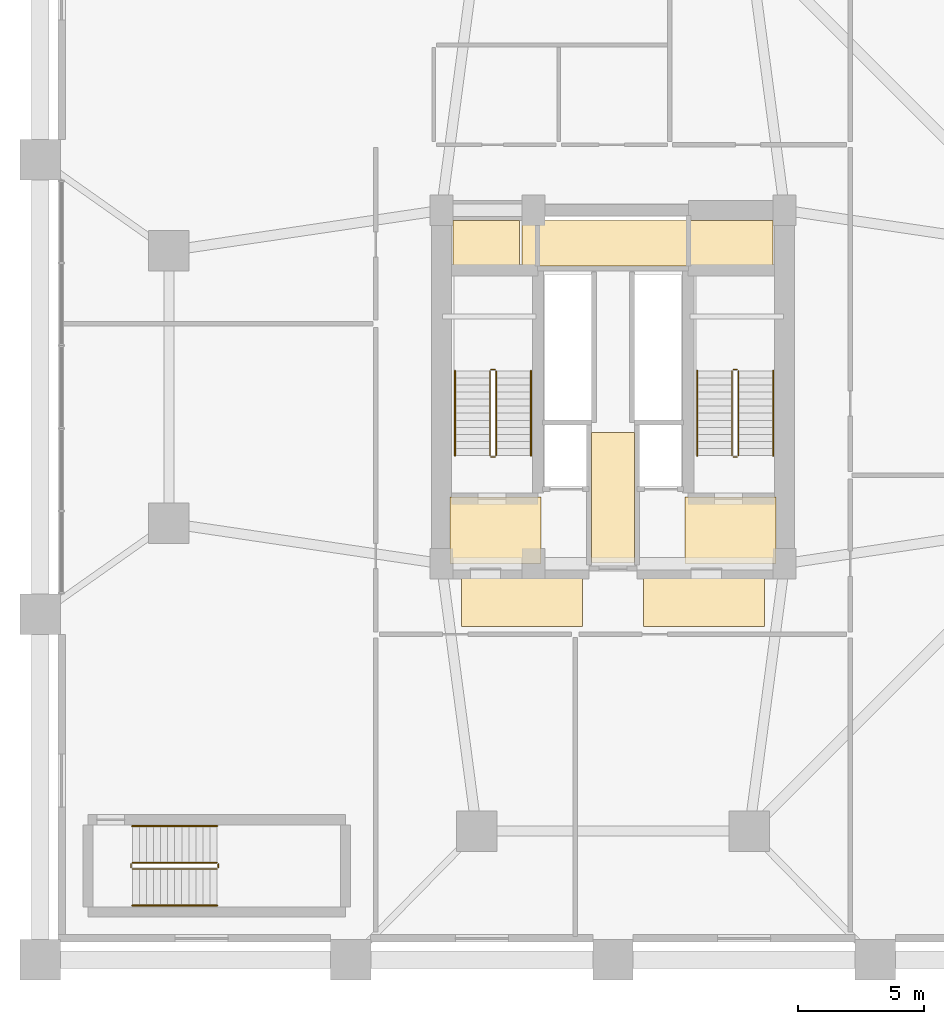
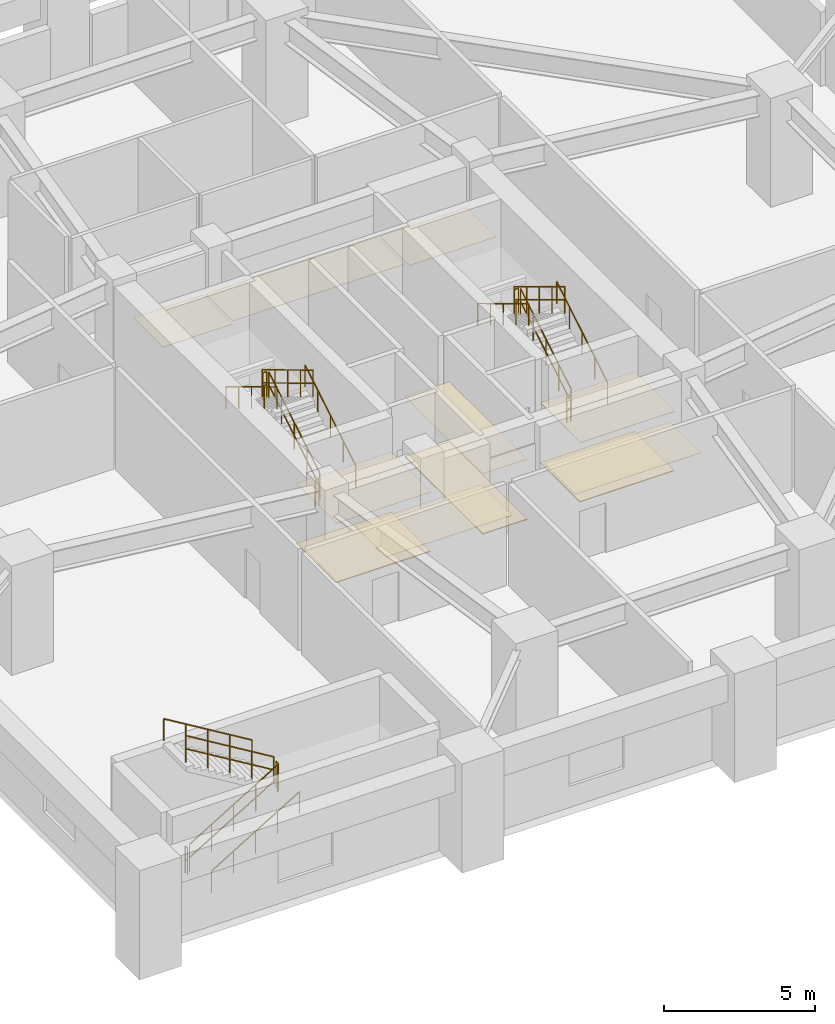
# One storey, part 13 of 16: 18 railings, 11 coverings.
"""IFC4 building model written with IfcOpenShell, lengths in metres."""

from ifc_helpers import new_model, si_unit, direction, frame, origin, origin_2d, place, context, subcontext, project, spatial, polyline, circle, outline, extrude, material, layer, layer_set, type_object, element, save


model = new_model("IFC4")

# Units and contexts
model_context = context("Model", 3, precision=1e-05, world=origin(), true_north=direction((0.0, 1.0)))
body_context = subcontext(model_context, "Body", "Model", "MODEL_VIEW")
ifc_project = project(units=[si_unit("LENGTHUNIT", "METRE"), si_unit("AREAUNIT", "SQUARE_METRE"), si_unit("VOLUMEUNIT", "CUBIC_METRE"), si_unit("PLANEANGLEUNIT", "RADIAN"), si_unit("MASSUNIT", "GRAM", prefix="KILO")], contexts=[model_context])

# Site, building, storey
site_placement = place(None, origin())
site = spatial("IfcSite", under=ifc_project, at=site_placement, CompositionType="ELEMENT")
building_placement = place(site_placement, origin())
building = spatial("IfcBuilding", under=site, at=building_placement, Name="Veraguas Prism Commons", CompositionType="ELEMENT")
storey_placement = place(building_placement, frame((0.0, 0.0, 14.0)))
storey = spatial("IfcBuildingStorey", under=building, at=storey_placement, Name="L03", CompositionType="ELEMENT", Elevation=14.0)

# Coverings
ifc_material_1 = material(Name="Acoustic gypsum board")
ifc_layer_1 = layer(ifc_material_1, 0.02490234375, Name="Perforated Acoustic Ceiling Tile 25")
ifc_layer_set_1 = layer_set([ifc_layer_1], Name="Acoustic gypsum board")
covering_type_1 = type_object("IfcCoveringType", Name="Perforated Acoustic Ceiling Tile 25", PredefinedType="USERDEFINED", material=ifc_layer_set_1)
covering_1_placement = place(storey_placement, frame((0.0, 0.0, 2.425048828125)))
element("IfcCovering", 1, at=covering_1_placement, inside=storey, type_object=covering_type_1, Name="East Lobby Acoustic Ceiling L03", ObjectType="ACOUSTIC CEILING", PredefinedType="USERDEFINED", context=body_context, shape_type="SweptSolid", body=[
    extrude(outline(polyline([(26.85009765625, 17.0), (30.449951171875, 17.0), (30.449951171875, 19.64990234375), (26.85009765625, 19.64990234375), (26.85009765625, 17.0)])), origin(), (0.0, 0.0, 1.0), 0.02490234375),
])
ifc_material_2 = material(Name="Terrazzo stone finish", Category="masonry")
ifc_layer_2 = layer(ifc_material_2, 0.030029296875, Name="Polished Terrazzo Floor Finish 30", Category="masonry")
ifc_layer_set_2 = layer_set([ifc_layer_2], Name="Terrazzo stone finish")
covering_type_2 = type_object("IfcCoveringType", Name="Polished Terrazzo Floor Finish 30", PredefinedType="FLOORING", material=ifc_layer_set_2)
covering_2_placement = place(storey_placement, origin())
element("IfcCovering", 2, at=covering_2_placement, inside=storey, type_object=covering_type_2, Name="Terrazzo Lobby Flooring L03", PredefinedType="FLOORING", context=body_context, shape_type="SweptSolid", body=[
    extrude(outline(polyline([(23.14990234375, 17.050048828125), (24.85009765625, 17.050048828125), (24.85009765625, 22.199951171875), (23.14990234375, 22.199951171875), (23.14990234375, 17.050048828125)])), origin(), (0.0, 0.0, 1.0), 0.030029296875),
])
covering_3_placement = place(storey_placement, origin())
element("IfcCovering", 3, at=covering_3_placement, inside=storey, type_object=covering_type_2, Name="West FF Lobby Terrazzo Flooring L03", PredefinedType="FLOORING", context=body_context, shape_type="SweptSolid", body=[
    extrude(outline(polyline([(17.550048828125, 17.050048828125), (21.14990234375, 17.050048828125), (21.14990234375, 19.64990234375), (17.550048828125, 19.64990234375), (17.550048828125, 17.050048828125)])), origin(), (0.0, 0.0, 1.0), 0.030029296875),
])
covering_4_placement = place(storey_placement, origin())
element("IfcCovering", 4, at=covering_4_placement, inside=storey, type_object=covering_type_2, Name="East FF Lobby Terrazzo Flooring L03", PredefinedType="FLOORING", context=body_context, shape_type="SweptSolid", body=[
    extrude(outline(polyline([(26.85009765625, 17.050048828125), (30.449951171875, 17.050048828125), (30.449951171875, 19.64990234375), (26.85009765625, 19.64990234375), (26.85009765625, 17.050048828125)])), origin(), (0.0, 0.0, 1.0), 0.030029296875),
])

# Railings
ifc_material_3 = material(Name="Stainless steel AISI 316", Category="steel")
railing_type_1 = type_object("IfcRailingType", Name="Stair and Ramp Stainless Handrail 900", PredefinedType="HANDRAIL", material=ifc_material_3)
railing_1_placement = place(storey_placement, frame((20.75, 21.280029296875, 0.169189453125)))
element("IfcRailing", 5, at=railing_1_placement, inside=storey, type_object=railing_type_1, Name="Stair Handrail ST-01 L03-1", PredefinedType="HANDRAIL", context=body_context, shape_type="SweptSolid", body=[
    extrude(circle(Radius=0.02392578125, at=origin_2d()), frame((0.0, 0.0, 0.8759765625), z_axis=(0.0, 0.855820338506, 0.51727318527), x_axis=(-1.0, 0.0, 0.0)), (0.0, 0.0, 1.0), 3.92578125),
    extrude(circle(Radius=0.02099609375, at=origin_2d()), origin(), (0.0, 0.0, 1.0), 0.851806640625),
    extrude(circle(Radius=0.02099609375, at=origin_2d()), frame((0.0, 0.83984375, 0.5078125)), (0.0, 0.0, 1.0), 0.851806640625),
    extrude(circle(Radius=0.02099609375, at=origin_2d()), frame((0.0, 1.679931640625, 1.015380859375)), (0.0, 0.0, 1.0), 0.851806640625),
    extrude(circle(Radius=0.02099609375, at=origin_2d()), frame((0.0, 2.52001953125, 1.52294921875)), (0.0, 0.0, 1.0), 0.851806640625),
    extrude(circle(Radius=0.02099609375, at=origin_2d()), frame((0.0, 3.35986328125, 2.03076171875)), (0.0, 0.0, 1.0), 0.851806640625),
])
railing_2_placement = place(storey_placement, frame((17.739990234375, 24.639892578125, 2.369140625)))
element("IfcRailing", 6, at=railing_2_placement, inside=storey, type_object=railing_type_1, Name="Stair Handrail ST-01 L03-2", PredefinedType="HANDRAIL", context=body_context, shape_type="SweptSolid", body=[
    extrude(circle(Radius=0.02392578125, at=origin_2d()), frame((0.0, 0.0, 0.8759765625), z_axis=(0.0, -0.855820338506, 0.51727318527), x_axis=(1.0, 0.0, 0.0)), (0.0, 0.0, 1.0), 3.92578125),
    extrude(circle(Radius=0.02099609375, at=origin_2d()), origin(), (0.0, 0.0, 1.0), 0.851806640625),
    extrude(circle(Radius=0.02099609375, at=origin_2d()), frame((0.0, -0.83984375, 0.5078125)), (0.0, 0.0, 1.0), 0.851806640625),
    extrude(circle(Radius=0.02099609375, at=origin_2d()), frame((0.0, -1.679931640625, 1.015380859375)), (0.0, 0.0, 1.0), 0.851806640625),
    extrude(circle(Radius=0.02099609375, at=origin_2d()), frame((0.0, -2.52001953125, 1.52294921875)), (0.0, 0.0, 1.0), 0.851806640625),
    extrude(circle(Radius=0.02099609375, at=origin_2d()), frame((0.0, -3.35986328125, 2.03076171875)), (0.0, 0.0, 1.0), 0.851806640625),
])
railing_3_placement = place(storey_placement, frame((30.35009765625, 21.280029296875, 0.169189453125)))
element("IfcRailing", 7, at=railing_3_placement, inside=storey, type_object=railing_type_1, Name="Stair Handrail ST-02 L03-1", PredefinedType="HANDRAIL", context=body_context, shape_type="SweptSolid", body=[
    extrude(circle(Radius=0.02392578125, at=origin_2d()), frame((0.0, 0.0, 0.8759765625), z_axis=(0.0, 0.855820338506, 0.51727318527), x_axis=(-1.0, 0.0, 0.0)), (0.0, 0.0, 1.0), 3.92578125),
    extrude(circle(Radius=0.02099609375, at=origin_2d()), origin(), (0.0, 0.0, 1.0), 0.851806640625),
    extrude(circle(Radius=0.02099609375, at=origin_2d()), frame((0.0, 0.83984375, 0.5078125)), (0.0, 0.0, 1.0), 0.851806640625),
    extrude(circle(Radius=0.02099609375, at=origin_2d()), frame((0.0, 1.679931640625, 1.015380859375)), (0.0, 0.0, 1.0), 0.851806640625),
    extrude(circle(Radius=0.02099609375, at=origin_2d()), frame((0.0, 2.52001953125, 1.52294921875)), (0.0, 0.0, 1.0), 0.851806640625),
    extrude(circle(Radius=0.02099609375, at=origin_2d()), frame((0.0, 3.35986328125, 2.03076171875)), (0.0, 0.0, 1.0), 0.851806640625),
])
railing_4_placement = place(storey_placement, frame((27.340087890625, 24.639892578125, 2.369140625)))
element("IfcRailing", 8, at=railing_4_placement, inside=storey, type_object=railing_type_1, Name="Stair Handrail ST-02 L03-2", PredefinedType="HANDRAIL", context=body_context, shape_type="SweptSolid", body=[
    extrude(circle(Radius=0.02392578125, at=origin_2d()), frame((0.0, 0.0, 0.8759765625), z_axis=(0.0, -0.855820338506, 0.51727318527), x_axis=(1.0, 0.0, 0.0)), (0.0, 0.0, 1.0), 3.92578125),
    extrude(circle(Radius=0.02099609375, at=origin_2d()), origin(), (0.0, 0.0, 1.0), 0.851806640625),
    extrude(circle(Radius=0.02099609375, at=origin_2d()), frame((0.0, -0.83984375, 0.5078125)), (0.0, 0.0, 1.0), 0.851806640625),
    extrude(circle(Radius=0.02099609375, at=origin_2d()), frame((0.0, -1.679931640625, 1.015380859375)), (0.0, 0.0, 1.0), 0.851806640625),
    extrude(circle(Radius=0.02099609375, at=origin_2d()), frame((0.0, -2.52001953125, 1.52294921875)), (0.0, 0.0, 1.0), 0.851806640625),
    extrude(circle(Radius=0.02099609375, at=origin_2d()), frame((0.0, -3.35986328125, 2.03076171875)), (0.0, 0.0, 1.0), 0.851806640625),
])
railing_5_placement = place(storey_placement, frame((4.949951171875, 3.449951171875, 0.169189453125)))
element("IfcRailing", 9, at=railing_5_placement, inside=storey, type_object=railing_type_1, Name="Stair Handrail ST-M1 L03-1", PredefinedType="HANDRAIL", context=body_context, shape_type="SweptSolid", body=[
    extrude(circle(Radius=0.02392578125, at=origin_2d()), frame((0.0, 0.0, 0.8759765625), z_axis=(0.855836976705, 0.0, 0.517245656632), x_axis=(0.0, 1.0, 0.0)), (0.0, 0.0, 1.0), 3.926025390625),
    extrude(circle(Radius=0.02099609375, at=origin_2d()), origin(), (0.0, 0.0, 1.0), 0.851806640625),
    extrude(circle(Radius=0.02099609375, at=origin_2d()), frame((0.840087890625, 0.0, 0.5078125)), (0.0, 0.0, 1.0), 0.851806640625),
    extrude(circle(Radius=0.02099609375, at=origin_2d()), frame((1.68017578125, 0.0, 1.015380859375)), (0.0, 0.0, 1.0), 0.851806640625),
    extrude(circle(Radius=0.02099609375, at=origin_2d()), frame((2.52001953125, 0.0, 1.52294921875)), (0.0, 0.0, 1.0), 0.851806640625),
    extrude(circle(Radius=0.02099609375, at=origin_2d()), frame((3.360107421875, 0.0, 2.03076171875)), (0.0, 0.0, 1.0), 0.851806640625),
])
railing_6_placement = place(storey_placement, frame((8.31005859375, 6.60009765625, 2.369140625)))
element("IfcRailing", 10, at=railing_6_placement, inside=storey, type_object=railing_type_1, Name="Stair Handrail ST-M1 L03-2", PredefinedType="HANDRAIL", context=body_context, shape_type="SweptSolid", body=[
    extrude(circle(Radius=0.02392578125, at=origin_2d()), frame((0.0, 0.0, 0.8759765625), z_axis=(-0.855836976705, 0.0, 0.517245656632), x_axis=(0.0, -1.0, 0.0)), (0.0, 0.0, 1.0), 3.926025390625),
    extrude(circle(Radius=0.02099609375, at=origin_2d()), origin(), (0.0, 0.0, 1.0), 0.851806640625),
    extrude(circle(Radius=0.02099609375, at=origin_2d()), frame((-0.840087890625, 0.0, 0.5078125)), (0.0, 0.0, 1.0), 0.851806640625),
    extrude(circle(Radius=0.02099609375, at=origin_2d()), frame((-1.68017578125, 0.0, 1.015380859375)), (0.0, 0.0, 1.0), 0.851806640625),
    extrude(circle(Radius=0.02099609375, at=origin_2d()), frame((-2.52001953125, 0.0, 1.52294921875)), (0.0, 0.0, 1.0), 0.851806640625),
    extrude(circle(Radius=0.02099609375, at=origin_2d()), frame((-3.360107421875, 0.0, 2.03076171875)), (0.0, 0.0, 1.0), 0.851806640625),
])
railing_type_2 = type_object("IfcRailingType", Name="Stairwell Safety Guardrail 1100", PredefinedType="GUARDRAIL", material=ifc_material_3)
railing_7_placement = place(storey_placement, frame((19.3701171875, 21.280029296875, 0.169189453125)))
element("IfcRailing", 11, at=railing_7_placement, inside=storey, type_object=railing_type_2, Name="Stair Guard ST-01 L03-1", PredefinedType="GUARDRAIL", context=body_context, shape_type="SweptSolid", body=[
    extrude(circle(Radius=0.02392578125, at=origin_2d()), frame((0.0, 0.0, 1.076171875), z_axis=(0.0, 0.855820338506, 0.51727318527), x_axis=(-1.0, 0.0, 0.0)), (0.0, 0.0, 1.0), 3.92578125),
    extrude(circle(Radius=0.02392578125, at=origin_2d()), frame((0.0, 0.0, 0.550048828125), z_axis=(0.0, 0.855820338506, 0.51727318527), x_axis=(-1.0, 0.0, 0.0)), (0.0, 0.0, 1.0), 3.92578125),
    extrude(circle(Radius=0.02099609375, at=origin_2d()), origin(), (0.0, 0.0, 1.0), 1.052001953125),
    extrude(circle(Radius=0.02099609375, at=origin_2d()), frame((0.0, 0.83984375, 0.5078125)), (0.0, 0.0, 1.0), 1.052001953125),
    extrude(circle(Radius=0.02099609375, at=origin_2d()), frame((0.0, 1.679931640625, 1.015380859375)), (0.0, 0.0, 1.0), 1.052001953125),
    extrude(circle(Radius=0.02099609375, at=origin_2d()), frame((0.0, 2.52001953125, 1.52294921875)), (0.0, 0.0, 1.0), 1.052001953125),
    extrude(circle(Radius=0.02099609375, at=origin_2d()), frame((0.0, 3.35986328125, 2.03076171875)), (0.0, 0.0, 1.0), 1.052001953125),
])
railing_8_placement = place(storey_placement, frame((19.320068359375, 24.68994140625, 2.199951171875)))
element("IfcRailing", 12, at=railing_8_placement, inside=storey, type_object=railing_type_2, Name="Stair Guard ST-01 L03-2", PredefinedType="GUARDRAIL", context=body_context, shape_type="SweptSolid", body=[
    extrude(circle(Radius=0.02392578125, at=origin_2d()), frame((0.0, 0.0, 1.076171875), z_axis=(-1.0, 0.0, 0.0), x_axis=(0.0, -1.0, 0.0)), (0.0, 0.0, 1.0), 0.150146484375),
    extrude(circle(Radius=0.02392578125, at=origin_2d()), frame((0.0, 0.0, 0.550048828125), z_axis=(-1.0, 0.0, 0.0), x_axis=(0.0, -1.0, 0.0)), (0.0, 0.0, 1.0), 0.150146484375),
    extrude(circle(Radius=0.02099609375, at=origin_2d()), origin(), (0.0, 0.0, 1.0), 1.052001953125),
    extrude(circle(Radius=0.02099609375, at=origin_2d()), frame((-0.150146484375, 0.0, 0.0)), (0.0, 0.0, 1.0), 1.052001953125),
])
railing_9_placement = place(storey_placement, frame((19.1201171875, 24.639892578125, 2.369140625)))
element("IfcRailing", 13, at=railing_9_placement, inside=storey, type_object=railing_type_2, Name="Stair Guard ST-01 L03-3", PredefinedType="GUARDRAIL", context=body_context, shape_type="SweptSolid", body=[
    extrude(circle(Radius=0.02392578125, at=origin_2d()), frame((0.0, 0.0, 1.076171875), z_axis=(0.0, -0.855820338506, 0.51727318527), x_axis=(1.0, 0.0, 0.0)), (0.0, 0.0, 1.0), 3.92578125),
    extrude(circle(Radius=0.02392578125, at=origin_2d()), frame((0.0, 0.0, 0.550048828125), z_axis=(0.0, -0.855820338506, 0.51727318527), x_axis=(1.0, 0.0, 0.0)), (0.0, 0.0, 1.0), 3.92578125),
    extrude(circle(Radius=0.02099609375, at=origin_2d()), origin(), (0.0, 0.0, 1.0), 1.052001953125),
    extrude(circle(Radius=0.02099609375, at=origin_2d()), frame((0.0, -0.83984375, 0.5078125)), (0.0, 0.0, 1.0), 1.052001953125),
    extrude(circle(Radius=0.02099609375, at=origin_2d()), frame((0.0, -1.679931640625, 1.015380859375)), (0.0, 0.0, 1.0), 1.052001953125),
    extrude(circle(Radius=0.02099609375, at=origin_2d()), frame((0.0, -2.52001953125, 1.52294921875)), (0.0, 0.0, 1.0), 1.052001953125),
    extrude(circle(Radius=0.02099609375, at=origin_2d()), frame((0.0, -3.35986328125, 2.03076171875)), (0.0, 0.0, 1.0), 1.052001953125),
])
railing_10_placement = place(storey_placement, frame((19.320068359375, 21.22998046875, 0.0)))
element("IfcRailing", 14, at=railing_10_placement, inside=storey, type_object=railing_type_2, Name="Stair Guard ST-01 L03-4", PredefinedType="GUARDRAIL", context=body_context, shape_type="SweptSolid", body=[
    extrude(circle(Radius=0.02392578125, at=origin_2d()), frame((0.0, 0.0, 1.076171875), z_axis=(-1.0, 0.0, 0.0), x_axis=(0.0, -1.0, 0.0)), (0.0, 0.0, 1.0), 0.150146484375),
    extrude(circle(Radius=0.02392578125, at=origin_2d()), frame((0.0, 0.0, 0.550048828125), z_axis=(-1.0, 0.0, 0.0), x_axis=(0.0, -1.0, 0.0)), (0.0, 0.0, 1.0), 0.150146484375),
    extrude(circle(Radius=0.02099609375, at=origin_2d()), origin(), (0.0, 0.0, 1.0), 1.052001953125),
    extrude(circle(Radius=0.02099609375, at=origin_2d()), frame((-0.150146484375, 0.0, 0.0)), (0.0, 0.0, 1.0), 1.052001953125),
])
railing_11_placement = place(storey_placement, frame((28.969970703125, 21.280029296875, 0.169189453125)))
element("IfcRailing", 15, at=railing_11_placement, inside=storey, type_object=railing_type_2, Name="Stair Guard ST-02 L03-1", PredefinedType="GUARDRAIL", context=body_context, shape_type="SweptSolid", body=[
    extrude(circle(Radius=0.02392578125, at=origin_2d()), frame((0.0, 0.0, 1.076171875), z_axis=(0.0, 0.855820338506, 0.51727318527), x_axis=(-1.0, 0.0, 0.0)), (0.0, 0.0, 1.0), 3.92578125),
    extrude(circle(Radius=0.02392578125, at=origin_2d()), frame((0.0, 0.0, 0.550048828125), z_axis=(0.0, 0.855820338506, 0.51727318527), x_axis=(-1.0, 0.0, 0.0)), (0.0, 0.0, 1.0), 3.92578125),
    extrude(circle(Radius=0.02099609375, at=origin_2d()), origin(), (0.0, 0.0, 1.0), 1.052001953125),
    extrude(circle(Radius=0.02099609375, at=origin_2d()), frame((0.0, 0.83984375, 0.5078125)), (0.0, 0.0, 1.0), 1.052001953125),
    extrude(circle(Radius=0.02099609375, at=origin_2d()), frame((0.0, 1.679931640625, 1.015380859375)), (0.0, 0.0, 1.0), 1.052001953125),
    extrude(circle(Radius=0.02099609375, at=origin_2d()), frame((0.0, 2.52001953125, 1.52294921875)), (0.0, 0.0, 1.0), 1.052001953125),
    extrude(circle(Radius=0.02099609375, at=origin_2d()), frame((0.0, 3.35986328125, 2.03076171875)), (0.0, 0.0, 1.0), 1.052001953125),
])
railing_12_placement = place(storey_placement, frame((28.919921875, 24.68994140625, 2.199951171875)))
element("IfcRailing", 16, at=railing_12_placement, inside=storey, type_object=railing_type_2, Name="Stair Guard ST-02 L03-2", PredefinedType="GUARDRAIL", context=body_context, shape_type="SweptSolid", body=[
    extrude(circle(Radius=0.02392578125, at=origin_2d()), frame((0.0, 0.0, 1.076171875), z_axis=(-1.0, 0.0, 0.0), x_axis=(0.0, -1.0, 0.0)), (0.0, 0.0, 1.0), 0.14990234375),
    extrude(circle(Radius=0.02392578125, at=origin_2d()), frame((0.0, 0.0, 0.550048828125), z_axis=(-1.0, 0.0, 0.0), x_axis=(0.0, -1.0, 0.0)), (0.0, 0.0, 1.0), 0.14990234375),
    extrude(circle(Radius=0.02099609375, at=origin_2d()), origin(), (0.0, 0.0, 1.0), 1.052001953125),
    extrude(circle(Radius=0.02099609375, at=origin_2d()), frame((-0.14990234375, 0.0, 0.0)), (0.0, 0.0, 1.0), 1.052001953125),
])
railing_13_placement = place(storey_placement, frame((28.719970703125, 24.639892578125, 2.369140625)))
element("IfcRailing", 17, at=railing_13_placement, inside=storey, type_object=railing_type_2, Name="Stair Guard ST-02 L03-3", PredefinedType="GUARDRAIL", context=body_context, shape_type="SweptSolid", body=[
    extrude(circle(Radius=0.02392578125, at=origin_2d()), frame((0.0, 0.0, 1.076171875), z_axis=(0.0, -0.855820338506, 0.51727318527), x_axis=(1.0, 0.0, 0.0)), (0.0, 0.0, 1.0), 3.92578125),
    extrude(circle(Radius=0.02392578125, at=origin_2d()), frame((0.0, 0.0, 0.550048828125), z_axis=(0.0, -0.855820338506, 0.51727318527), x_axis=(1.0, 0.0, 0.0)), (0.0, 0.0, 1.0), 3.92578125),
    extrude(circle(Radius=0.02099609375, at=origin_2d()), origin(), (0.0, 0.0, 1.0), 1.052001953125),
    extrude(circle(Radius=0.02099609375, at=origin_2d()), frame((0.0, -0.83984375, 0.5078125)), (0.0, 0.0, 1.0), 1.052001953125),
    extrude(circle(Radius=0.02099609375, at=origin_2d()), frame((0.0, -1.679931640625, 1.015380859375)), (0.0, 0.0, 1.0), 1.052001953125),
    extrude(circle(Radius=0.02099609375, at=origin_2d()), frame((0.0, -2.52001953125, 1.52294921875)), (0.0, 0.0, 1.0), 1.052001953125),
    extrude(circle(Radius=0.02099609375, at=origin_2d()), frame((0.0, -3.35986328125, 2.03076171875)), (0.0, 0.0, 1.0), 1.052001953125),
])
railing_14_placement = place(storey_placement, frame((28.919921875, 21.22998046875, 0.0)))
element("IfcRailing", 18, at=railing_14_placement, inside=storey, type_object=railing_type_2, Name="Stair Guard ST-02 L03-4", PredefinedType="GUARDRAIL", context=body_context, shape_type="SweptSolid", body=[
    extrude(circle(Radius=0.02392578125, at=origin_2d()), frame((0.0, 0.0, 1.076171875), z_axis=(-1.0, 0.0, 0.0), x_axis=(0.0, -1.0, 0.0)), (0.0, 0.0, 1.0), 0.14990234375),
    extrude(circle(Radius=0.02392578125, at=origin_2d()), frame((0.0, 0.0, 0.550048828125), z_axis=(-1.0, 0.0, 0.0), x_axis=(0.0, -1.0, 0.0)), (0.0, 0.0, 1.0), 0.14990234375),
    extrude(circle(Radius=0.02099609375, at=origin_2d()), origin(), (0.0, 0.0, 1.0), 1.052001953125),
    extrude(circle(Radius=0.02099609375, at=origin_2d()), frame((-0.14990234375, 0.0, 0.0)), (0.0, 0.0, 1.0), 1.052001953125),
])
railing_15_placement = place(storey_placement, frame((4.949951171875, 4.89990234375, 0.169189453125)))
element("IfcRailing", 19, at=railing_15_placement, inside=storey, type_object=railing_type_2, Name="Stair Guard ST-M1 L03-1", PredefinedType="GUARDRAIL", context=body_context, shape_type="SweptSolid", body=[
    extrude(circle(Radius=0.02392578125, at=origin_2d()), frame((0.0, 0.0, 1.076171875), z_axis=(0.855836976705, 0.0, 0.517245656632), x_axis=(0.0, 1.0, 0.0)), (0.0, 0.0, 1.0), 3.926025390625),
    extrude(circle(Radius=0.02392578125, at=origin_2d()), frame((0.0, 0.0, 0.550048828125), z_axis=(0.855836976705, 0.0, 0.517245656632), x_axis=(0.0, 1.0, 0.0)), (0.0, 0.0, 1.0), 3.926025390625),
    extrude(circle(Radius=0.02099609375, at=origin_2d()), origin(), (0.0, 0.0, 1.0), 1.052001953125),
    extrude(circle(Radius=0.02099609375, at=origin_2d()), frame((0.840087890625, 0.0, 0.5078125)), (0.0, 0.0, 1.0), 1.052001953125),
    extrude(circle(Radius=0.02099609375, at=origin_2d()), frame((1.68017578125, 0.0, 1.015380859375)), (0.0, 0.0, 1.0), 1.052001953125),
    extrude(circle(Radius=0.02099609375, at=origin_2d()), frame((2.52001953125, 0.0, 1.52294921875)), (0.0, 0.0, 1.0), 1.052001953125),
    extrude(circle(Radius=0.02099609375, at=origin_2d()), frame((3.360107421875, 0.0, 2.03076171875)), (0.0, 0.0, 1.0), 1.052001953125),
])
railing_16_placement = place(storey_placement, frame((8.360107421875, 4.949951171875, 2.199951171875)))
element("IfcRailing", 20, at=railing_16_placement, inside=storey, type_object=railing_type_2, Name="Stair Guard ST-M1 L03-2", PredefinedType="GUARDRAIL", context=body_context, shape_type="SweptSolid", body=[
    extrude(circle(Radius=0.02392578125, at=origin_2d()), frame((0.0, 0.0, 1.076171875), z_axis=(0.0, 1.0, 0.0), x_axis=(-1.0, 0.0, 0.0)), (0.0, 0.0, 1.0), 0.150146484375),
    extrude(circle(Radius=0.02392578125, at=origin_2d()), frame((0.0, 0.0, 0.550048828125), z_axis=(0.0, 1.0, 0.0), x_axis=(-1.0, 0.0, 0.0)), (0.0, 0.0, 1.0), 0.150146484375),
    extrude(circle(Radius=0.02099609375, at=origin_2d()), origin(), (0.0, 0.0, 1.0), 1.052001953125),
    extrude(circle(Radius=0.02099609375, at=origin_2d()), frame((0.0, 0.150146484375, 0.0)), (0.0, 0.0, 1.0), 1.052001953125),
])
railing_17_placement = place(storey_placement, frame((8.31005859375, 5.14990234375, 2.369140625)))
element("IfcRailing", 21, at=railing_17_placement, inside=storey, type_object=railing_type_2, Name="Stair Guard ST-M1 L03-3", PredefinedType="GUARDRAIL", context=body_context, shape_type="SweptSolid", body=[
    extrude(circle(Radius=0.02392578125, at=origin_2d()), frame((0.0, 0.0, 1.076171875), z_axis=(-0.855836976705, 0.0, 0.517245656632), x_axis=(0.0, -1.0, 0.0)), (0.0, 0.0, 1.0), 3.926025390625),
    extrude(circle(Radius=0.02392578125, at=origin_2d()), frame((0.0, 0.0, 0.550048828125), z_axis=(-0.855836976705, 0.0, 0.517245656632), x_axis=(0.0, -1.0, 0.0)), (0.0, 0.0, 1.0), 3.926025390625),
    extrude(circle(Radius=0.02099609375, at=origin_2d()), origin(), (0.0, 0.0, 1.0), 1.052001953125),
    extrude(circle(Radius=0.02099609375, at=origin_2d()), frame((-0.840087890625, 0.0, 0.5078125)), (0.0, 0.0, 1.0), 1.052001953125),
    extrude(circle(Radius=0.02099609375, at=origin_2d()), frame((-1.68017578125, 0.0, 1.015380859375)), (0.0, 0.0, 1.0), 1.052001953125),
    extrude(circle(Radius=0.02099609375, at=origin_2d()), frame((-2.52001953125, 0.0, 1.52294921875)), (0.0, 0.0, 1.0), 1.052001953125),
    extrude(circle(Radius=0.02099609375, at=origin_2d()), frame((-3.360107421875, 0.0, 2.03076171875)), (0.0, 0.0, 1.0), 1.052001953125),
])
railing_18_placement = place(storey_placement, frame((4.89990234375, 4.949951171875, 0.0)))
element("IfcRailing", 22, at=railing_18_placement, inside=storey, type_object=railing_type_2, Name="Stair Guard ST-M1 L03-4", PredefinedType="GUARDRAIL", context=body_context, shape_type="SweptSolid", body=[
    extrude(circle(Radius=0.02392578125, at=origin_2d()), frame((0.0, 0.0, 1.076171875), z_axis=(0.0, 1.0, 0.0), x_axis=(-1.0, 0.0, 0.0)), (0.0, 0.0, 1.0), 0.150146484375),
    extrude(circle(Radius=0.02392578125, at=origin_2d()), frame((0.0, 0.0, 0.550048828125), z_axis=(0.0, 1.0, 0.0), x_axis=(-1.0, 0.0, 0.0)), (0.0, 0.0, 1.0), 0.150146484375),
    extrude(circle(Radius=0.02099609375, at=origin_2d()), origin(), (0.0, 0.0, 1.0), 1.052001953125),
    extrude(circle(Radius=0.02099609375, at=origin_2d()), frame((0.0, 0.150146484375, 0.0)), (0.0, 0.0, 1.0), 1.052001953125),
])

# Coverings
ifc_layer_3 = layer(ifc_material_1, 0.02001953125, Name="Suspended Gypsum Ceiling 20")
ifc_layer_set_3 = layer_set([ifc_layer_3], Name="Acoustic gypsum board")
covering_type_3 = type_object("IfcCoveringType", Name="Suspended Gypsum Ceiling 20", PredefinedType="CEILING", material=ifc_layer_set_3)
covering_5_placement = place(storey_placement, frame((0.0, 0.0, 2.429931640625)))
element("IfcCovering", 23, at=covering_5_placement, inside=storey, type_object=covering_type_3, Name="West Lobby Suspended Gypsum Ceiling L03", PredefinedType="CEILING", context=body_context, shape_type="SweptSolid", body=[
    extrude(outline(polyline([(17.550048828125, 17.0), (21.14990234375, 17.0), (21.14990234375, 19.64990234375), (17.550048828125, 19.64990234375), (17.550048828125, 17.0)])), origin(), (0.0, 0.0, 1.0), 0.02001953125),
])
covering_6_placement = place(storey_placement, frame((0.0, 0.0, 2.429931640625)))
element("IfcCovering", 24, at=covering_6_placement, inside=storey, type_object=covering_type_3, Name="Core Lobby Acoustic Ceiling L03-1", PredefinedType="CEILING", context=body_context, shape_type="SweptSolid", body=[
    extrude(outline(polyline([(18.0, 14.5), (22.800048828125, 14.5), (22.800048828125, 16.550048828125), (18.0, 16.550048828125), (18.0, 14.5)])), origin(), (0.0, 0.0, 1.0), 0.02001953125),
])
covering_7_placement = place(storey_placement, frame((0.0, 0.0, 2.429931640625)))
element("IfcCovering", 25, at=covering_7_placement, inside=storey, type_object=covering_type_3, Name="Core Lobby Acoustic Ceiling L03-2", PredefinedType="CEILING", context=body_context, shape_type="SweptSolid", body=[
    extrude(outline(polyline([(25.199951171875, 14.5), (30.0, 14.5), (30.0, 16.550048828125), (25.199951171875, 16.550048828125), (25.199951171875, 14.5)])), origin(), (0.0, 0.0, 1.0), 0.02001953125),
])
covering_8_placement = place(storey_placement, frame((0.0, 0.0, 2.429931640625)))
element("IfcCovering", 26, at=covering_8_placement, inside=storey, type_object=covering_type_3, Name="Core Lobby Acoustic Ceiling L03-3", PredefinedType="CEILING", context=body_context, shape_type="SweptSolid", body=[
    extrude(outline(polyline([(23.14990234375, 17.050048828125), (24.85009765625, 17.050048828125), (24.85009765625, 22.199951171875), (23.14990234375, 22.199951171875), (23.14990234375, 17.050048828125)])), origin(), (0.0, 0.0, 1.0), 0.02001953125),
])
covering_9_placement = place(storey_placement, frame((0.0, 0.0, 2.429931640625)))
element("IfcCovering", 27, at=covering_9_placement, inside=storey, type_object=covering_type_3, Name="Core Lobby Acoustic Ceiling L03-4", PredefinedType="CEILING", context=body_context, shape_type="SweptSolid", body=[
    extrude(outline(polyline([(17.64990234375, 28.64990234375), (20.300048828125, 28.64990234375), (20.300048828125, 30.60009765625), (17.64990234375, 30.60009765625), (17.64990234375, 28.64990234375)])), origin(), (0.0, 0.0, 1.0), 0.02001953125),
])
covering_10_placement = place(storey_placement, frame((0.0, 0.0, 2.429931640625)))
element("IfcCovering", 28, at=covering_10_placement, inside=storey, type_object=covering_type_3, Name="Core Lobby Acoustic Ceiling L03-5", PredefinedType="CEILING", context=body_context, shape_type="SweptSolid", body=[
    extrude(outline(polyline([(27.050048828125, 28.64990234375), (30.35009765625, 28.64990234375), (30.35009765625, 30.60009765625), (27.050048828125, 30.60009765625), (27.050048828125, 28.64990234375)])), origin(), (0.0, 0.0, 1.0), 0.02001953125),
])
covering_11_placement = place(storey_placement, frame((0.0, 0.0, 2.429931640625)))
element("IfcCovering", 29, at=covering_11_placement, inside=storey, type_object=covering_type_3, Name="Core Lobby Acoustic Ceiling L03-6", PredefinedType="CEILING", context=body_context, shape_type="SweptSolid", body=[
    extrude(outline(polyline([(20.39990234375, 28.800048828125), (26.949951171875, 28.800048828125), (26.949951171875, 30.60009765625), (20.39990234375, 30.60009765625), (20.39990234375, 28.800048828125)])), origin(), (0.0, 0.0, 1.0), 0.02001953125),
])

save(model, "model.ifc")
